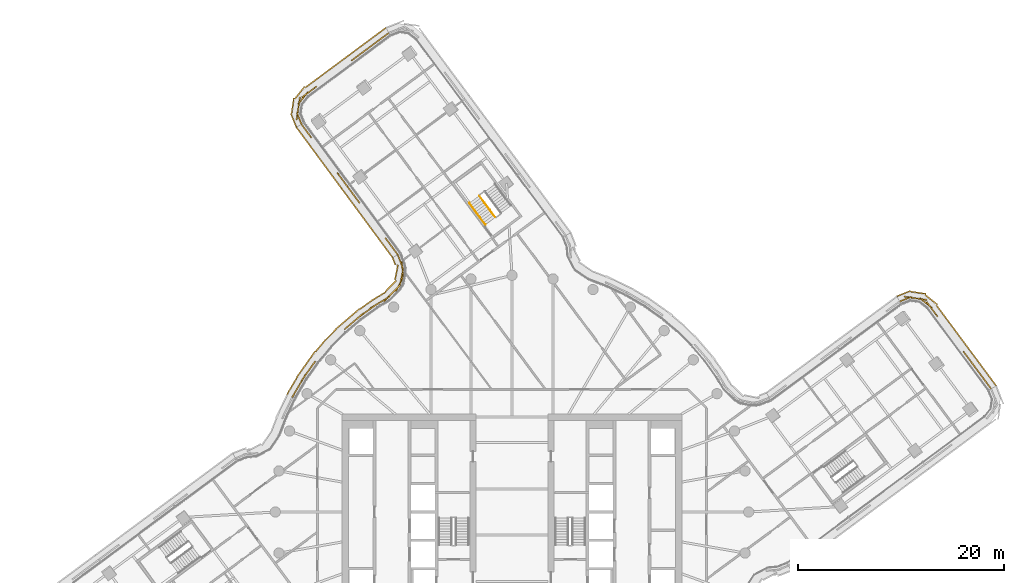
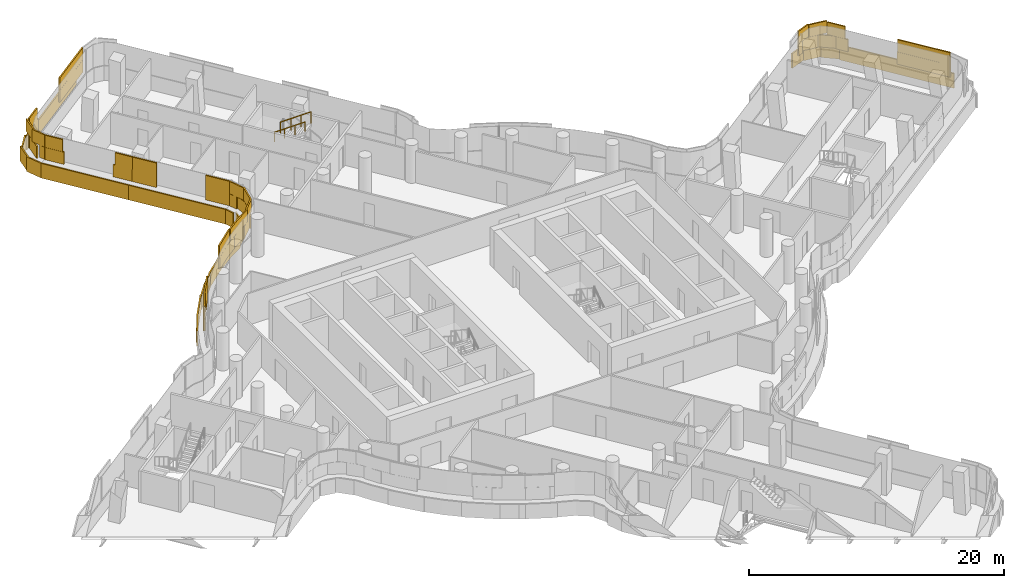
# One storey, part 31 of 32: 5 coverings, 2 railings.
"""IFC4 building model written with IfcOpenShell, lengths in metres."""

import ifcopenshell
import ifcopenshell.guid

model = None  # the IFC model being written
_history = None  # IfcOwnerHistory: only IFC2X3 demands one
_inside = {}  # id of a spatial element -> (the spatial element, [elements in it])
_under = {}  # id of a project, library or spatial element -> (it, [spatial elements below it])
_declared = {}  # id of a project -> (the project, [libraries it declares])
_typed = {}  # id of a type object -> (the type object, [elements of that type])
_made_of = {}  # id of a material, layer set ... -> (it, [elements and type objects made of it])


def new_model(schema):
    """Start an empty IFC model of exactly this schema.

    Asked for "IFC4X3", IfcOpenShell would pick the latest addendum, in which some entities
    have other attributes; the version numbers below select the first issue.
    IFC2X3 requires an IfcOwnerHistory on every rooted entity: one is made here for all.
    """
    global model, _history
    if schema == "IFC4X3":
        model = ifcopenshell.file(schema_version=(4, 3, 0, 0))
    else:
        model = ifcopenshell.file(schema=schema)
    _inside.clear()
    _under.clear()
    _declared.clear()
    _typed.clear()
    _made_of.clear()
    _history = None
    if model.schema == "IFC2X3":
        org = make("IfcOrganization", Name="unknown")
        user = make(
            "IfcPersonAndOrganization",
            ThePerson=make("IfcPerson", FamilyName="unknown"),
            TheOrganization=org,
        )
        app = make(
            "IfcApplication",
            ApplicationDeveloper=org,
            Version="unknown",
            ApplicationFullName="unknown",
            ApplicationIdentifier="unknown",
        )
        _history = make(
            "IfcOwnerHistory",
            OwningUser=user,
            OwningApplication=app,
            ChangeAction="ADDED",
            CreationDate=0,
        )
    return model


def make(cls, **values):
    """One entity of the class cls with the attributes given. An attribute that is None is left unset."""
    return model.create_entity(
        cls, **{name: value for name, value in values.items() if value is not None}
    )


def rooted(cls, **values):
    """An entity with a GlobalId (a new one), such as an element, a storey or a relation."""
    return make(cls, GlobalId=ifcopenshell.guid.new(), OwnerHistory=_history, **values)


def si_unit(unit_type, name, prefix=None):
    """IfcSIUnit, for example si_unit("LENGTHUNIT", "METRE", prefix="MILLI")."""
    return make("IfcSIUnit", UnitType=unit_type, Prefix=prefix, Name=name)


def assignment(units):
    """IfcUnitAssignment: the units of a project."""
    return None if units is None else make("IfcUnitAssignment", Units=units)


def point(xyz):
    """IfcCartesianPoint."""
    return None if xyz is None else make("IfcCartesianPoint", Coordinates=xyz)


def direction(xyz):
    """IfcDirection."""
    return None if xyz is None else make("IfcDirection", DirectionRatios=xyz)


def frame(location, z_axis=None, x_axis=None):
    """IfcAxis2Placement3D, a coordinate frame: its origin and axes. An axis left out is left unset."""
    return make(
        "IfcAxis2Placement3D",
        Location=point(location),
        Axis=direction(z_axis),
        RefDirection=direction(x_axis),
    )


def frame_2d(location, x_axis=None):
    """IfcAxis2Placement2D, a coordinate frame in the plane: its origin and x axis."""
    return make(
        "IfcAxis2Placement2D", Location=point(location), RefDirection=direction(x_axis)
    )


def origin():
    """The frame at (0, 0, 0) with its axes left unset."""
    return frame((0.0, 0.0, 0.0))


def origin_2d():
    """The frame at (0, 0) in the plane with its x axis left unset."""
    return frame_2d((0.0, 0.0))


def place(relative_to, where):
    """IfcLocalPlacement: puts the frame where relative to a parent placement (None: the world)."""
    return make(
        "IfcLocalPlacement", PlacementRelTo=relative_to, RelativePlacement=where
    )


def context(
    kind, dimensions, precision=None, world=None, true_north=None, identifier=None
):
    """IfcGeometricRepresentationContext, for example the 3D "Model" context."""
    return make(
        "IfcGeometricRepresentationContext",
        ContextIdentifier=identifier,
        ContextType=kind,
        CoordinateSpaceDimension=dimensions,
        Precision=precision,
        WorldCoordinateSystem=world,
        TrueNorth=true_north,
    )


def subcontext(parent, identifier, kind, view, scale=None):
    """IfcGeometricRepresentationSubContext, for example "Body" below "Model"."""
    return make(
        "IfcGeometricRepresentationSubContext",
        ContextIdentifier=identifier,
        ContextType=kind,
        ParentContext=parent,
        TargetScale=scale,
        TargetView=view,
    )


def project(units=None, contexts=None):
    """IfcProject with its units and contexts."""
    return rooted(
        "IfcProject",
        Name="project",
        RepresentationContexts=contexts,
        UnitsInContext=assignment(units),
    )


def spatial(cls, under=None, at=None, **own):
    """A site, building, storey or space (cls), placed at a placement, below another one or the project."""
    s = rooted(cls, ObjectPlacement=at, **own)
    if under is not None:
        _under.setdefault(under.id(), (under, []))[1].append(s)
    return s


def profile(cls, at=None, kind="AREA", **sizes):
    """A parametric profile (cls). Its sizes go by their IFC names, for example OverallWidth=200.0."""
    return make(cls, ProfileType=kind, Position=at, **sizes)


def rectangle(**sizes):
    """IfcRectangleProfileDef."""
    return profile("IfcRectangleProfileDef", **sizes)


def circle(**sizes):
    """IfcCircleProfileDef."""
    return profile("IfcCircleProfileDef", **sizes)


def extrude(swept, where, along, depth):
    """IfcExtrudedAreaSolid: the profile swept, set in the frame where, extruded along a direction by depth."""
    return make(
        "IfcExtrudedAreaSolid",
        SweptArea=swept,
        Position=where,
        ExtrudedDirection=direction(along),
        Depth=depth,
    )


def shape(context_of_items, identifier, shape_type, items):
    """IfcShapeRepresentation: the items that make up one representation, for example the "Body"."""
    return make(
        "IfcShapeRepresentation",
        ContextOfItems=context_of_items,
        RepresentationIdentifier=identifier,
        RepresentationType=shape_type,
        Items=items,
    )


def material(Name=None, Category=None):
    """IfcMaterial."""
    return make("IfcMaterial", Name=Name, Category=Category)


def layer(
    of_material, thickness, ventilated=None, Name=None, Category=None, Priority=None
):
    """IfcMaterialLayer: one layer of a wall or slab, of a material (None: an air gap)."""
    return make(
        "IfcMaterialLayer",
        Material=of_material,
        LayerThickness=thickness,
        IsVentilated=ventilated,
        Name=Name,
        Category=Category,
        Priority=Priority,
    )


def layer_set(layers, Name=None):
    """IfcMaterialLayerSet."""
    return make("IfcMaterialLayerSet", MaterialLayers=layers, LayerSetName=Name)


def made_of(thing, what):
    """Note that an element or type object is made of a material, layer set ...; save() writes the relation."""
    if what is not None:
        _made_of.setdefault(what.id(), (what, []))[1].append(thing)
    return thing


def type_object(cls, material=None, **own):
    """A type object (cls), such as IfcWallType, which elements share."""
    return made_of(rooted(cls, **own), material)


def element(
    cls,
    number,
    at=None,
    inside=None,
    cuts=None,
    type_object=None,
    material=None,
    context=None,
    identifier="Body",
    shape_type=None,
    held_by="IfcProductDefinitionShape",
    body=None,
    shapes=None,
    **own,
):
    """One element of the class cls, such as IfcWall. Its Tag is "e" and its number.

    at: its placement. inside: the storey or other place that contains it. cuts: it is an
    opening in that element (IfcRelVoidsElement). A single representation is given by context,
    identifier, shape_type and body (its items); several are given by shapes. held_by: the class
    of the entity that holds the representations. save() writes the other relations.
    """
    e = rooted(cls, Tag="e%d" % number, ObjectPlacement=at, **own)
    if body is not None:
        shapes = [shape(context, identifier, shape_type, body)]
    if shapes is not None:
        e.Representation = make(held_by, Representations=shapes)
    if inside is not None:
        _inside.setdefault(inside.id(), (inside, []))[1].append(e)
    if cuts is not None:
        rooted(
            "IfcRelVoidsElement", RelatingBuildingElement=cuts, RelatedOpeningElement=e
        )
    if type_object is not None:
        _typed.setdefault(type_object.id(), (type_object, []))[1].append(e)
    return made_of(e, material)


def aggregate(whole, parts):
    """IfcRelAggregates: a whole, such as a stair, and the parts it consists of."""
    return rooted("IfcRelAggregates", RelatingObject=whole, RelatedObjects=parts)


def save(model, path):
    """Write the relations noted so far, then the file.

    IfcRelAggregates (storeys below a building ...), IfcRelContainedInSpatialStructure (elements
    in a storey), IfcRelDefinesByType, IfcRelAssociatesMaterial and IfcRelDeclares: one each for
    every whole, place, type object, material and project.
    """
    for whole, parts in _under.values():
        aggregate(whole, parts)
    for where, things in _inside.values():
        rooted(
            "IfcRelContainedInSpatialStructure",
            RelatedElements=things,
            RelatingStructure=where,
        )
    for kind, things in _typed.values():
        rooted("IfcRelDefinesByType", RelatedObjects=things, RelatingType=kind)
    for what, things in _made_of.values():
        rooted("IfcRelAssociatesMaterial", RelatedObjects=things, RelatingMaterial=what)
    for by, libraries in _declared.values():
        rooted("IfcRelDeclares", RelatingContext=by, RelatedDefinitions=libraries)
    model.write(path)


model = new_model("IFC4")

# Units and contexts
model_context = context("Model", 3, precision=1e-05, world=origin(), true_north=direction((0.0, 1.0)))
body_context = subcontext(model_context, "Body", "Model", "MODEL_VIEW")
ifc_project = project(units=[si_unit("LENGTHUNIT", "METRE"), si_unit("AREAUNIT", "SQUARE_METRE"), si_unit("VOLUMEUNIT", "CUBIC_METRE"), si_unit("PLANEANGLEUNIT", "RADIAN"), si_unit("MASSUNIT", "GRAM", prefix="KILO")], contexts=[model_context])

# Site, building, storey
site_placement = place(None, origin())
site = spatial("IfcSite", under=ifc_project, at=site_placement, CompositionType="ELEMENT")
building_placement = place(site_placement, origin())
building = spatial("IfcBuilding", under=site, at=building_placement, Name="Tamarind Cross Interchange Tower", CompositionType="ELEMENT")
storey_placement = place(building_placement, frame((0.0, 0.0, 166.75)))
storey = spatial("IfcBuildingStorey", under=building, at=storey_placement, Name="L41", CompositionType="ELEMENT", Elevation=166.75)

# Railings
ifc_material_1 = material(Name="Stair guard")
railing_type_1 = type_object("IfcRailingType", Name="Stair guard", PredefinedType="GUARDRAIL", material=ifc_material_1)
railing_1_placement = place(storey_placement, frame((-3.174072265625, 30.726806640625, 2.04541015625)))
element("IfcRailing", 1, at=railing_1_placement, inside=storey, type_object=railing_type_1, Name="L41 ST4 stair guard 3", PredefinedType="GUARDRAIL", context=body_context, shape_type="SweptSolid", body=[
    extrude(circle(Radius=0.02392578125, at=origin_2d()), frame((0.0, 0.0, 1.076171875), z_axis=(0.498262505957, -0.671653146328, 0.548285077477), x_axis=(0.803132814244, 0.595800035821, 0.0)), (0.0, 0.0, 1.0), 3.10888671875),
    extrude(circle(Radius=0.02099609375, at=origin_2d()), origin(), (0.0, 0.0, 1.0), 1.052001953125),
    extrude(circle(Radius=0.02099609375, at=origin_2d()), frame((0.516357421875, -0.696044921875, 0.568115234375)), (0.0, 0.0, 1.0), 1.052001953125),
    extrude(circle(Radius=0.02099609375, at=origin_2d()), frame((1.03271484375, -1.39208984375, 1.136474609375)), (0.0, 0.0, 1.0), 1.052001953125),
    extrude(circle(Radius=0.02099609375, at=origin_2d()), frame((1.549072265625, -2.088134765625, 1.70458984375)), (0.0, 0.0, 1.0), 1.052001953125),
])
ifc_material_2 = material(Name="Stair handrail")
railing_type_2 = type_object("IfcRailingType", Name="Stair handrail", PredefinedType="HANDRAIL", material=ifc_material_2)
railing_2_placement = place(storey_placement, frame((-4.137939453125, 30.011962890625, 2.04541015625)))
element("IfcRailing", 2, at=railing_2_placement, inside=storey, type_object=railing_type_2, Name="L41 ST4 stair handrail 2", PredefinedType="HANDRAIL", context=body_context, shape_type="SweptSolid", body=[
    extrude(circle(Radius=0.02392578125, at=origin_2d()), frame((0.0, 0.0, 0.8759765625), z_axis=(0.498262505957, -0.671653146328, 0.548285077477), x_axis=(0.803132814244, 0.595800035821, 0.0)), (0.0, 0.0, 1.0), 3.10888671875),
    extrude(circle(Radius=0.02099609375, at=origin_2d()), origin(), (0.0, 0.0, 1.0), 0.851806640625),
    extrude(circle(Radius=0.02099609375, at=origin_2d()), frame((0.516357421875, -0.696044921875, 0.568115234375)), (0.0, 0.0, 1.0), 0.851806640625),
    extrude(circle(Radius=0.02099609375, at=origin_2d()), frame((1.03271484375, -1.39208984375, 1.136474609375)), (0.0, 0.0, 1.0), 0.851806640625),
    extrude(circle(Radius=0.02099609375, at=origin_2d()), frame((1.549072265625, -2.088134765625, 1.70458984375)), (0.0, 0.0, 1.0), 0.851806640625),
])

# Coverings
ifc_material_3 = material(Name="Terracotta", Category="masonry")
ifc_layer = layer(ifc_material_3, 0.1201171875)
ifc_layer_set = layer_set([ifc_layer], Name="Terracotta")
covering_type = type_object("IfcCoveringType", Name="Terracotta baguette screen unit", PredefinedType="MOLDING", material=ifc_layer_set)
covering_1_placement = place(storey_placement, origin())
element("IfcCovering", 3, at=covering_1_placement, inside=storey, type_object=covering_type, Name="SCR-L41-00-00", PredefinedType="MOLDING", context=body_context, shape_type="SweptSolid", body=[
    extrude(rectangle(XDim=0.760009765625, YDim=0.1201171875, at=origin_2d()), frame((46.328125, 12.273193359375, 1.404052734375), z_axis=(0.0, 0.0, 1.0), x_axis=(-0.595776404136, 0.803150344752, 0.0)), (0.0, 0.0, 1.0), 1.1669921875),
    extrude(rectangle(XDim=1.52001953125, YDim=0.1201171875, at=origin_2d()), frame((45.65771484375, 13.1767578125, 1.404052734375), z_axis=(0.0, 0.0, 1.0), x_axis=(-0.595776404136, 0.803150344752, 0.0)), (0.0, 0.0, 1.0), 1.1669921875),
    extrude(rectangle(XDim=1.52001953125, YDim=0.1201171875, at=origin_2d()), frame((44.76416015625, 14.38134765625, 1.404052734375), z_axis=(0.0, 0.0, 1.0), x_axis=(-0.595776404136, 0.803150344752, 0.0)), (0.0, 0.0, 1.0), 1.1669921875),
    extrude(rectangle(XDim=0.78466796875, YDim=0.1201171875, at=origin_2d()), frame((44.08642578125, 15.294921875, 1.404052734375), z_axis=(0.0, 0.0, 1.0), x_axis=(-0.595776404136, 0.803150344752, 0.0)), (0.0, 0.0, 1.0), 1.1669921875),
    extrude(rectangle(XDim=1.03515625, YDim=0.1201171875, at=origin_2d()), frame((41.048095703125, 19.39111328125, 1.404052734375), z_axis=(0.0, 0.0, 1.0), x_axis=(-0.595776404136, 0.803150344752, 0.0)), (0.0, 0.0, 1.0), 1.1669921875),
    extrude(rectangle(XDim=1.52001953125, YDim=0.1201171875, at=origin_2d()), frame((40.20654296875, 20.318603515625, 1.404052734375), z_axis=(0.0, 0.0, 1.0), x_axis=(-0.783346420751, 0.621585380376, 0.0)), (0.0, 0.0, 1.0), 1.1669921875),
    extrude(rectangle(XDim=1.52001953125, YDim=0.1201171875, at=origin_2d()), frame((38.84521484375, 20.821044921875, 1.404052734375), z_axis=(0.0, 0.0, 1.0), x_axis=(-0.989190590522, 0.146635519651, 0.0)), (0.0, 0.0, 1.0), 1.1669921875),
    extrude(rectangle(XDim=0.509521484375, YDim=0.1201171875, at=origin_2d()), frame((37.90478515625, 20.54541015625, 1.404052734375), z_axis=(0.0, 0.0, 1.0), x_axis=(-0.929981940402, -0.367605210146, 0.0)), (0.0, 0.0, 1.0), 1.1669921875),
    extrude(rectangle(XDim=1.510009765625, YDim=0.1201171875, at=origin_2d()), frame((46.1044921875, 12.574462890625, 2.5791015625), z_axis=(0.0, 0.0, 1.0), x_axis=(-0.595776404136, 0.803150344752, 0.0)), (0.0, 0.0, 1.0), 1.1669921875),
    extrude(rectangle(XDim=1.52001953125, YDim=0.1201171875, at=origin_2d()), frame((45.2109375, 13.779052734375, 2.5791015625), z_axis=(0.0, 0.0, 1.0), x_axis=(-0.595776404136, 0.803150344752, 0.0)), (0.0, 0.0, 1.0), 1.1669921875),
    extrude(rectangle(XDim=1.52001953125, YDim=0.1201171875, at=origin_2d()), frame((44.3173828125, 14.98388671875, 2.5791015625), z_axis=(0.0, 0.0, 1.0), x_axis=(-0.595776404136, 0.803150344752, 0.0)), (0.0, 0.0, 1.0), 1.1669921875),
    extrude(rectangle(XDim=1.52001953125, YDim=0.1201171875, at=origin_2d()), frame((40.74267578125, 19.802734375, 2.5791015625), z_axis=(0.0, 0.0, 1.0), x_axis=(-0.595776404136, 0.803150344752, 0.0)), (0.0, 0.0, 1.0), 1.1669921875),
    extrude(rectangle(XDim=1.52001953125, YDim=0.1201171875, at=origin_2d()), frame((39.5869140625, 20.711181640625, 2.5791015625), z_axis=(0.0, 0.0, 1.0), x_axis=(-0.989190590522, 0.146635519651, 0.0)), (0.0, 0.0, 1.0), 1.1669921875),
    extrude(rectangle(XDim=1.259521484375, YDim=0.1201171875, at=origin_2d()), frame((38.25341796875, 20.68310546875, 2.5791015625), z_axis=(0.0, 0.0, 1.0), x_axis=(-0.929981940402, -0.367605210146, 0.0)), (0.0, 0.0, 1.0), 1.1669921875),
    extrude(rectangle(XDim=0.760009765625, YDim=0.1201171875, at=origin_2d()), frame((46.8310546875, 12.55859375, 0.00390625), z_axis=(0.0, 0.0, 1.0), x_axis=(-0.595776404136, 0.803150344752, 0.0)), (0.0, 0.0, 1.0), 1.39208984375),
    extrude(rectangle(XDim=1.52001953125, YDim=0.1201171875, at=origin_2d()), frame((46.163818359375, 13.4580078125, 0.00390625), z_axis=(0.0, 0.0, 1.0), x_axis=(-0.595776404136, 0.803150344752, 0.0)), (0.0, 0.0, 1.0), 1.39208984375),
    extrude(rectangle(XDim=1.52001953125, YDim=0.1201171875, at=origin_2d()), frame((45.270263671875, 14.662841796875, 0.00390625), z_axis=(0.0, 0.0, 1.0), x_axis=(-0.595776404136, 0.803150344752, 0.0)), (0.0, 0.0, 1.0), 1.39208984375),
    extrude(rectangle(XDim=1.52001953125, YDim=0.1201171875, at=origin_2d()), frame((44.37646484375, 15.867431640625, 0.00390625), z_axis=(0.0, 0.0, 1.0), x_axis=(-0.595776404136, 0.803150344752, 0.0)), (0.0, 0.0, 1.0), 1.39208984375),
    extrude(rectangle(XDim=1.52001953125, YDim=0.1201171875, at=origin_2d()), frame((43.48291015625, 17.072265625, 0.00390625), z_axis=(0.0, 0.0, 1.0), x_axis=(-0.595776404136, 0.803150344752, 0.0)), (0.0, 0.0, 1.0), 1.39208984375),
    extrude(rectangle(XDim=1.52001953125, YDim=0.1201171875, at=origin_2d()), frame((42.589111328125, 18.27685546875, 0.00390625), z_axis=(0.0, 0.0, 1.0), x_axis=(-0.595776404136, 0.803150344752, 0.0)), (0.0, 0.0, 1.0), 1.39208984375),
    extrude(rectangle(XDim=1.52001953125, YDim=0.1201171875, at=origin_2d()), frame((41.695556640625, 19.481689453125, 0.00390625), z_axis=(0.0, 0.0, 1.0), x_axis=(-0.595776404136, 0.803150344752, 0.0)), (0.0, 0.0, 1.0), 1.39208984375),
    extrude(rectangle(XDim=1.52001953125, YDim=0.1201171875, at=origin_2d()), frame((40.74072265625, 20.62744140625, 0.00390625), z_axis=(0.0, 0.0, 1.0), x_axis=(-0.783346420751, 0.621585380376, 0.0)), (0.0, 0.0, 1.0), 1.39208984375),
    extrude(rectangle(XDim=1.52001953125, YDim=0.1201171875, at=origin_2d()), frame((39.457763671875, 21.310546875, 0.00390625), z_axis=(0.0, 0.0, 1.0), x_axis=(-0.989190590522, 0.146635519651, 0.0)), (0.0, 0.0, 1.0), 1.39208984375),
    extrude(rectangle(XDim=1.42626953125, YDim=0.1201171875, at=origin_2d()), frame((38.05517578125, 21.221923828125, 0.00390625), z_axis=(0.0, 0.0, 1.0), x_axis=(-0.929981940402, -0.367605210146, 0.0)), (0.0, 0.0, 1.0), 1.39208984375),
])
covering_2_placement = place(storey_placement, origin())
element("IfcCovering", 4, at=covering_2_placement, inside=storey, type_object=covering_type, Name="SCR-L41-04-00", PredefinedType="MOLDING", context=body_context, shape_type="SweptSolid", body=[
    extrude(rectangle(XDim=0.760009765625, YDim=0.1201171875, at=origin_2d()), frame((-12.273193359375, 46.328125, 1.404052734375), z_axis=(0.0, 0.0, 1.0), x_axis=(-0.803150344752, -0.595776404136, 0.0)), (0.0, 0.0, 1.0), 1.1669921875),
    extrude(rectangle(XDim=1.52001953125, YDim=0.1201171875, at=origin_2d()), frame((-13.1767578125, 45.65771484375, 1.404052734375), z_axis=(0.0, 0.0, 1.0), x_axis=(-0.803150344752, -0.595776404136, 0.0)), (0.0, 0.0, 1.0), 1.1669921875),
    extrude(rectangle(XDim=1.52001953125, YDim=0.1201171875, at=origin_2d()), frame((-14.38134765625, 44.76416015625, 1.404052734375), z_axis=(0.0, 0.0, 1.0), x_axis=(-0.803150344752, -0.595776404136, 0.0)), (0.0, 0.0, 1.0), 1.1669921875),
    extrude(rectangle(XDim=0.78466796875, YDim=0.1201171875, at=origin_2d()), frame((-15.294921875, 44.08642578125, 1.404052734375), z_axis=(0.0, 0.0, 1.0), x_axis=(-0.803150344752, -0.595776404136, 0.0)), (0.0, 0.0, 1.0), 1.1669921875),
    extrude(rectangle(XDim=1.03515625, YDim=0.1201171875, at=origin_2d()), frame((-19.39111328125, 41.048095703125, 1.404052734375), z_axis=(0.0, 0.0, 1.0), x_axis=(-0.803150344752, -0.595776404136, 0.0)), (0.0, 0.0, 1.0), 1.1669921875),
    extrude(rectangle(XDim=1.52001953125, YDim=0.1201171875, at=origin_2d()), frame((-20.318603515625, 40.20654296875, 1.404052734375), z_axis=(0.0, 0.0, 1.0), x_axis=(-0.621585380376, -0.783346420751, 0.0)), (0.0, 0.0, 1.0), 1.1669921875),
    extrude(rectangle(XDim=1.52001953125, YDim=0.1201171875, at=origin_2d()), frame((-20.821044921875, 38.84521484375, 1.404052734375), z_axis=(0.0, 0.0, 1.0), x_axis=(-0.146635519651, -0.989190590522, 0.0)), (0.0, 0.0, 1.0), 1.1669921875),
    extrude(rectangle(XDim=0.509521484375, YDim=0.1201171875, at=origin_2d()), frame((-20.54541015625, 37.90478515625, 1.404052734375), z_axis=(0.0, 0.0, 1.0), x_axis=(0.367605210146, -0.929981940402, 0.0)), (0.0, 0.0, 1.0), 1.1669921875),
    extrude(rectangle(XDim=1.510009765625, YDim=0.1201171875, at=origin_2d()), frame((-12.574462890625, 46.1044921875, 2.5791015625), z_axis=(0.0, 0.0, 1.0), x_axis=(-0.803150344752, -0.595776404136, 0.0)), (0.0, 0.0, 1.0), 1.1669921875),
    extrude(rectangle(XDim=1.52001953125, YDim=0.1201171875, at=origin_2d()), frame((-13.779052734375, 45.2109375, 2.5791015625), z_axis=(0.0, 0.0, 1.0), x_axis=(-0.803150344752, -0.595776404136, 0.0)), (0.0, 0.0, 1.0), 1.1669921875),
    extrude(rectangle(XDim=1.52001953125, YDim=0.1201171875, at=origin_2d()), frame((-14.98388671875, 44.3173828125, 2.5791015625), z_axis=(0.0, 0.0, 1.0), x_axis=(-0.803150344752, -0.595776404136, 0.0)), (0.0, 0.0, 1.0), 1.1669921875),
    extrude(rectangle(XDim=1.52001953125, YDim=0.1201171875, at=origin_2d()), frame((-19.802734375, 40.74267578125, 2.5791015625), z_axis=(0.0, 0.0, 1.0), x_axis=(-0.803150344752, -0.595776404136, 0.0)), (0.0, 0.0, 1.0), 1.1669921875),
    extrude(rectangle(XDim=1.52001953125, YDim=0.1201171875, at=origin_2d()), frame((-20.711181640625, 39.5869140625, 2.5791015625), z_axis=(0.0, 0.0, 1.0), x_axis=(-0.146635519651, -0.989190590522, 0.0)), (0.0, 0.0, 1.0), 1.1669921875),
    extrude(rectangle(XDim=1.259521484375, YDim=0.1201171875, at=origin_2d()), frame((-20.68310546875, 38.25341796875, 2.5791015625), z_axis=(0.0, 0.0, 1.0), x_axis=(0.367605210146, -0.929981940402, 0.0)), (0.0, 0.0, 1.0), 1.1669921875),
    extrude(rectangle(XDim=0.760009765625, YDim=0.1201171875, at=origin_2d()), frame((-12.55859375, 46.8310546875, 0.00390625), z_axis=(0.0, 0.0, 1.0), x_axis=(-0.803150344752, -0.595776404136, 0.0)), (0.0, 0.0, 1.0), 1.39208984375),
    extrude(rectangle(XDim=1.52001953125, YDim=0.1201171875, at=origin_2d()), frame((-13.4580078125, 46.163818359375, 0.00390625), z_axis=(0.0, 0.0, 1.0), x_axis=(-0.803150344752, -0.595776404136, 0.0)), (0.0, 0.0, 1.0), 1.39208984375),
    extrude(rectangle(XDim=1.52001953125, YDim=0.1201171875, at=origin_2d()), frame((-14.662841796875, 45.270263671875, 0.00390625), z_axis=(0.0, 0.0, 1.0), x_axis=(-0.803150344752, -0.595776404136, 0.0)), (0.0, 0.0, 1.0), 1.39208984375),
    extrude(rectangle(XDim=1.52001953125, YDim=0.1201171875, at=origin_2d()), frame((-15.867431640625, 44.37646484375, 0.00390625), z_axis=(0.0, 0.0, 1.0), x_axis=(-0.803150344752, -0.595776404136, 0.0)), (0.0, 0.0, 1.0), 1.39208984375),
    extrude(rectangle(XDim=1.52001953125, YDim=0.1201171875, at=origin_2d()), frame((-17.072265625, 43.48291015625, 0.00390625), z_axis=(0.0, 0.0, 1.0), x_axis=(-0.803150344752, -0.595776404136, 0.0)), (0.0, 0.0, 1.0), 1.39208984375),
    extrude(rectangle(XDim=1.52001953125, YDim=0.1201171875, at=origin_2d()), frame((-18.27685546875, 42.589111328125, 0.00390625), z_axis=(0.0, 0.0, 1.0), x_axis=(-0.803150344752, -0.595776404136, 0.0)), (0.0, 0.0, 1.0), 1.39208984375),
    extrude(rectangle(XDim=1.52001953125, YDim=0.1201171875, at=origin_2d()), frame((-19.481689453125, 41.695556640625, 0.00390625), z_axis=(0.0, 0.0, 1.0), x_axis=(-0.803150344752, -0.595776404136, 0.0)), (0.0, 0.0, 1.0), 1.39208984375),
    extrude(rectangle(XDim=1.52001953125, YDim=0.1201171875, at=origin_2d()), frame((-20.62744140625, 40.74072265625, 0.00390625), z_axis=(0.0, 0.0, 1.0), x_axis=(-0.621585380376, -0.783346420751, 0.0)), (0.0, 0.0, 1.0), 1.39208984375),
    extrude(rectangle(XDim=1.52001953125, YDim=0.1201171875, at=origin_2d()), frame((-21.310546875, 39.457763671875, 0.00390625), z_axis=(0.0, 0.0, 1.0), x_axis=(-0.146635519651, -0.989190590522, 0.0)), (0.0, 0.0, 1.0), 1.39208984375),
    extrude(rectangle(XDim=1.42626953125, YDim=0.1201171875, at=origin_2d()), frame((-21.221923828125, 38.05517578125, 0.00390625), z_axis=(0.0, 0.0, 1.0), x_axis=(0.367605210146, -0.929981940402, 0.0)), (0.0, 0.0, 1.0), 1.39208984375),
])
covering_3_placement = place(storey_placement, origin())
element("IfcCovering", 5, at=covering_3_placement, inside=storey, type_object=covering_type, Name="SCR-L41-05-00", PredefinedType="MOLDING", context=body_context, shape_type="SweptSolid", body=[
    extrude(rectangle(XDim=0.760009765625, YDim=0.1201171875, at=origin_2d()), frame((-20.23095703125, 37.370849609375, 1.404052734375), z_axis=(0.0, 0.0, 1.0), x_axis=(0.593819308082, -0.804598427384, 0.0)), (0.0, 0.0, 1.0), 1.1669921875),
    extrude(rectangle(XDim=0.890380859375, YDim=0.1201171875, at=origin_2d()), frame((-19.746826171875, 36.71484375, 1.404052734375), z_axis=(0.0, 0.0, 1.0), x_axis=(0.593819308082, -0.804598427384, 0.0)), (0.0, 0.0, 1.0), 1.1669921875),
    extrude(rectangle(XDim=0.9296875, YDim=0.1201171875, at=origin_2d()), frame((-16.71826171875, 32.611328125, 1.404052734375), z_axis=(0.0, 0.0, 1.0), x_axis=(0.593819308082, -0.804598427384, 0.0)), (0.0, 0.0, 1.0), 1.1669921875),
    extrude(rectangle(XDim=0.720703125, YDim=0.1201171875, at=origin_2d()), frame((-16.234130859375, 31.95556640625, 1.404052734375), z_axis=(0.0, 0.0, 1.0), x_axis=(0.593819308082, -0.804598427384, 0.0)), (0.0, 0.0, 1.0), 1.1669921875),
    extrude(rectangle(XDim=1.510009765625, YDim=0.1201171875, at=origin_2d()), frame((-20.008056640625, 37.069091796875, 2.5791015625), z_axis=(0.0, 0.0, 1.0), x_axis=(0.593819308082, -0.804598427384, 0.0)), (0.0, 0.0, 1.0), 1.1669921875),
    extrude(rectangle(XDim=1.470703125, YDim=0.1201171875, at=origin_2d()), frame((-16.45703125, 32.25732421875, 2.5791015625), z_axis=(0.0, 0.0, 1.0), x_axis=(0.593819308082, -0.804598427384, 0.0)), (0.0, 0.0, 1.0), 1.1669921875),
    extrude(rectangle(XDim=0.760009765625, YDim=0.1201171875, at=origin_2d()), frame((-20.734130859375, 37.086181640625, 0.00390625), z_axis=(0.0, 0.0, 1.0), x_axis=(0.593819308082, -0.804598427384, 0.0)), (0.0, 0.0, 1.0), 1.39208984375),
    extrude(rectangle(XDim=1.52001953125, YDim=0.1201171875, at=origin_2d()), frame((-20.069091796875, 36.18505859375, 0.00390625), z_axis=(0.0, 0.0, 1.0), x_axis=(0.593819308082, -0.804598427384, 0.0)), (0.0, 0.0, 1.0), 1.39208984375),
    extrude(rectangle(XDim=1.52001953125, YDim=0.1201171875, at=origin_2d()), frame((-19.178466796875, 34.97802734375, 0.00390625), z_axis=(0.0, 0.0, 1.0), x_axis=(0.593819308082, -0.804598427384, 0.0)), (0.0, 0.0, 1.0), 1.39208984375),
    extrude(rectangle(XDim=1.52001953125, YDim=0.1201171875, at=origin_2d()), frame((-18.28759765625, 33.771240234375, 0.00390625), z_axis=(0.0, 0.0, 1.0), x_axis=(0.593819308082, -0.804598427384, 0.0)), (0.0, 0.0, 1.0), 1.39208984375),
    extrude(rectangle(XDim=1.52001953125, YDim=0.1201171875, at=origin_2d()), frame((-17.39697265625, 32.564208984375, 0.00390625), z_axis=(0.0, 0.0, 1.0), x_axis=(0.593819308082, -0.804598427384, 0.0)), (0.0, 0.0, 1.0), 1.39208984375),
    extrude(rectangle(XDim=0.718505859375, YDim=0.1201171875, at=origin_2d()), frame((-16.744140625, 31.679931640625, 0.00390625), z_axis=(0.0, 0.0, 1.0), x_axis=(0.593819308082, -0.804598427384, 0.0)), (0.0, 0.0, 1.0), 1.39208984375),
])
covering_4_placement = place(storey_placement, origin())
element("IfcCovering", 6, at=covering_4_placement, inside=storey, type_object=covering_type, Name="SCR-L41-05-01", PredefinedType="MOLDING", context=body_context, shape_type="SweptSolid", body=[
    extrude(rectangle(XDim=0.79931640625, YDim=0.1201171875, at=origin_2d()), frame((-15.788818359375, 31.35205078125, 1.404052734375), z_axis=(0.0, 0.0, 1.0), x_axis=(0.593819308082, -0.804598427384, 0.0)), (0.0, 0.0, 1.0), 1.1669921875),
    extrude(rectangle(XDim=1.270751953125, YDim=0.1201171875, at=origin_2d()), frame((-15.18017578125, 30.52734375, 1.404052734375), z_axis=(0.0, 0.0, 1.0), x_axis=(0.593819308082, -0.804598427384, 0.0)), (0.0, 0.0, 1.0), 1.1669921875),
    extrude(rectangle(XDim=0.549072265625, YDim=0.1201171875, at=origin_2d()), frame((-12.151611328125, 26.423828125, 1.404052734375), z_axis=(0.0, 0.0, 1.0), x_axis=(0.593819308082, -0.804598427384, 0.0)), (0.0, 0.0, 1.0), 1.1669921875),
    extrude(rectangle(XDim=1.52001953125, YDim=0.1201171875, at=origin_2d()), frame((-11.546142578125, 25.603515625, 1.404052734375), z_axis=(0.0, 0.0, 1.0), x_axis=(0.593819308082, -0.804598427384, 0.0)), (0.0, 0.0, 1.0), 1.1669921875),
    extrude(rectangle(XDim=0.04931640625, YDim=0.1201171875, at=origin_2d()), frame((-16.011474609375, 31.65380859375, 2.5791015625), z_axis=(0.0, 0.0, 1.0), x_axis=(0.593819308082, -0.804598427384, 0.0)), (0.0, 0.0, 1.0), 1.1669921875),
    extrude(rectangle(XDim=1.52001953125, YDim=0.1201171875, at=origin_2d()), frame((-15.554443359375, 31.03466796875, 2.5791015625), z_axis=(0.0, 0.0, 1.0), x_axis=(0.593819308082, -0.804598427384, 0.0)), (0.0, 0.0, 1.0), 1.1669921875),
    extrude(rectangle(XDim=0.520751953125, YDim=0.1201171875, at=origin_2d()), frame((-14.95751953125, 30.2255859375, 2.5791015625), z_axis=(0.0, 0.0, 1.0), x_axis=(0.593819308082, -0.804598427384, 0.0)), (0.0, 0.0, 1.0), 1.1669921875),
    extrude(rectangle(XDim=1.299072265625, YDim=0.1201171875, at=origin_2d()), frame((-11.928955078125, 26.1220703125, 2.5791015625), z_axis=(0.0, 0.0, 1.0), x_axis=(0.593819308082, -0.804598427384, 0.0)), (0.0, 0.0, 1.0), 1.1669921875),
    extrude(rectangle(XDim=0.77099609375, YDim=0.1201171875, at=origin_2d()), frame((-11.3203125, 25.29736328125, 2.5791015625), z_axis=(0.0, 0.0, 1.0), x_axis=(0.593819308082, -0.804598427384, 0.0)), (0.0, 0.0, 1.0), 1.1669921875),
    extrude(rectangle(XDim=0.801513671875, YDim=0.1201171875, at=origin_2d()), frame((-16.29296875, 31.068359375, 0.00390625), z_axis=(0.0, 0.0, 1.0), x_axis=(0.593819308082, -0.804598427384, 0.0)), (0.0, 0.0, 1.0), 1.39208984375),
    extrude(rectangle(XDim=1.52001953125, YDim=0.1201171875, at=origin_2d()), frame((-15.615478515625, 30.150390625, 0.00390625), z_axis=(0.0, 0.0, 1.0), x_axis=(0.593819308082, -0.804598427384, 0.0)), (0.0, 0.0, 1.0), 1.39208984375),
    extrude(rectangle(XDim=1.52001953125, YDim=0.1201171875, at=origin_2d()), frame((-14.724609375, 28.943603515625, 0.00390625), z_axis=(0.0, 0.0, 1.0), x_axis=(0.593819308082, -0.804598427384, 0.0)), (0.0, 0.0, 1.0), 1.39208984375),
    extrude(rectangle(XDim=1.52001953125, YDim=0.1201171875, at=origin_2d()), frame((-13.833984375, 27.736572265625, 0.00390625), z_axis=(0.0, 0.0, 1.0), x_axis=(0.593819308082, -0.804598427384, 0.0)), (0.0, 0.0, 1.0), 1.39208984375),
    extrude(rectangle(XDim=1.52001953125, YDim=0.1201171875, at=origin_2d()), frame((-12.943359375, 26.52978515625, 0.00390625), z_axis=(0.0, 0.0, 1.0), x_axis=(0.593819308082, -0.804598427384, 0.0)), (0.0, 0.0, 1.0), 1.39208984375),
    extrude(rectangle(XDim=1.52001953125, YDim=0.1201171875, at=origin_2d()), frame((-12.052490234375, 25.322998046875, 0.00390625), z_axis=(0.0, 0.0, 1.0), x_axis=(0.593819308082, -0.804598427384, 0.0)), (0.0, 0.0, 1.0), 1.39208984375),
])
covering_5_placement = place(storey_placement, origin())
element("IfcCovering", 7, at=covering_5_placement, inside=storey, type_object=covering_type, Name="SCR-L41-06-00", PredefinedType="MOLDING", context=body_context, shape_type="SweptSolid", body=[
    extrude(rectangle(XDim=0.760009765625, YDim=0.1201171875, at=origin_2d()), frame((-10.96240234375, 24.64013671875, 1.404052734375), z_axis=(0.0, 0.0, 1.0), x_axis=(0.351921900623, -0.936029366987, 0.0)), (0.0, 0.0, 1.0), 1.1669921875),
    extrude(rectangle(XDim=1.52001953125, YDim=0.1201171875, at=origin_2d()), frame((-10.646484375, 23.5693359375, 1.404052734375), z_axis=(0.0, 0.0, 1.0), x_axis=(0.080926527852, -0.996720069573, 0.0)), (0.0, 0.0, 1.0), 1.1669921875),
    extrude(rectangle(XDim=1.52001953125, YDim=0.1201171875, at=origin_2d()), frame((-10.93701171875, 22.11474609375, 1.404052734375), z_axis=(0.0, 0.0, 1.0), x_axis=(-0.458406830491, -0.888742469875, 0.0)), (0.0, 0.0, 1.0), 1.1669921875),
    extrude(rectangle(XDim=1.52001953125, YDim=0.1201171875, at=origin_2d()), frame((-11.919677734375, 20.99609375, 1.404052734375), z_axis=(0.0, 0.0, 1.0), x_axis=(-0.703508027879, -0.710687311487, 0.0)), (0.0, 0.0, 1.0), 1.1669921875),
    extrude(rectangle(XDim=1.52001953125, YDim=0.1201171875, at=origin_2d()), frame((-13.16162109375, 20.1669921875, 1.404052734375), z_axis=(0.0, 0.0, 1.0), x_axis=(-0.855795607835, -0.517314099566, 0.0)), (0.0, 0.0, 1.0), 1.1669921875),
    extrude(rectangle(XDim=1.52001953125, YDim=0.1201171875, at=origin_2d()), frame((-14.3837890625, 19.2978515625, 1.404052734375), z_axis=(0.0, 0.0, 1.0), x_axis=(-0.811340475102, -0.584573890505, 0.0)), (0.0, 0.0, 1.0), 1.1669921875),
    extrude(rectangle(XDim=1.52001953125, YDim=0.1201171875, at=origin_2d()), frame((-15.55517578125, 18.36279296875, 1.404052734375), z_axis=(0.0, 0.0, 1.0), x_axis=(-0.760295606781, -0.64957723968, 0.0)), (0.0, 0.0, 1.0), 1.1669921875),
    extrude(rectangle(XDim=1.52001953125, YDim=0.1201171875, at=origin_2d()), frame((-19.60302734375, 13.959716796875, 1.404052734375), z_axis=(0.0, 0.0, 1.0), x_axis=(-0.577568978284, -0.816341886298, 0.0)), (0.0, 0.0, 1.0), 1.1669921875),
    extrude(rectangle(XDim=1.52001953125, YDim=0.1201171875, at=origin_2d()), frame((-20.439453125, 12.7158203125, 1.404052734375), z_axis=(0.0, 0.0, 1.0), x_axis=(-0.508183308752, -0.861248933065, 0.0)), (0.0, 0.0, 1.0), 1.1669921875),
    extrude(rectangle(XDim=1.086669921875, YDim=0.1201171875, at=origin_2d()), frame((-21.09423828125, 11.606201171875, 1.404052734375), z_axis=(0.0, 0.0, 1.0), x_axis=(-0.508183308752, -0.861248933065, 0.0)), (0.0, 0.0, 1.0), 1.1669921875),
    extrude(rectangle(XDim=1.510009765625, YDim=0.1201171875, at=origin_2d()), frame((-10.830322265625, 24.2890625, 2.5791015625), z_axis=(0.0, 0.0, 1.0), x_axis=(0.351921900623, -0.936029366987, 0.0)), (0.0, 0.0, 1.0), 1.1669921875),
    extrude(rectangle(XDim=1.52001953125, YDim=0.1201171875, at=origin_2d()), frame((-10.73291015625, 22.830322265625, 2.5791015625), z_axis=(0.0, 0.0, 1.0), x_axis=(-0.196310048722, -0.980541873033, 0.0)), (0.0, 0.0, 1.0), 1.1669921875),
    extrude(rectangle(XDim=1.52001953125, YDim=0.1201171875, at=origin_2d()), frame((-11.39208984375, 21.529052734375, 2.5791015625), z_axis=(0.0, 0.0, 1.0), x_axis=(-0.703508027879, -0.710687311487, 0.0)), (0.0, 0.0, 1.0), 1.1669921875),
    extrude(rectangle(XDim=1.52001953125, YDim=0.1201171875, at=origin_2d()), frame((-12.519775390625, 20.554931640625, 2.5791015625), z_axis=(0.0, 0.0, 1.0), x_axis=(-0.855795607835, -0.517314099566, 0.0)), (0.0, 0.0, 1.0), 1.1669921875),
    extrude(rectangle(XDim=1.52001953125, YDim=0.1201171875, at=origin_2d()), frame((-13.775146484375, 19.736328125, 2.5791015625), z_axis=(0.0, 0.0, 1.0), x_axis=(-0.811340475102, -0.584573890505, 0.0)), (0.0, 0.0, 1.0), 1.1669921875),
    extrude(rectangle(XDim=1.52001953125, YDim=0.1201171875, at=origin_2d()), frame((-14.98486328125, 18.85009765625, 2.5791015625), z_axis=(0.0, 0.0, 1.0), x_axis=(-0.760295606781, -0.64957723968, 0.0)), (0.0, 0.0, 1.0), 1.1669921875),
    extrude(rectangle(XDim=0.960693359375, YDim=0.1201171875, at=origin_2d()), frame((-15.91650390625, 18.05419921875, 2.5791015625), z_axis=(0.0, 0.0, 1.0), x_axis=(-0.760295606781, -0.64957723968, 0.0)), (0.0, 0.0, 1.0), 1.1669921875),
    extrude(rectangle(XDim=0.859375, YDim=0.1201171875, at=origin_2d()), frame((-19.357666015625, 14.306396484375, 2.5791015625), z_axis=(0.0, 0.0, 1.0), x_axis=(-0.577568978284, -0.816341886298, 0.0)), (0.0, 0.0, 1.0), 1.1669921875),
    extrude(rectangle(XDim=1.52001953125, YDim=0.1201171875, at=origin_2d()), frame((-20.0361328125, 13.347412109375, 2.5791015625), z_axis=(0.0, 0.0, 1.0), x_axis=(-0.577568978284, -0.816341886298, 0.0)), (0.0, 0.0, 1.0), 1.1669921875),
    extrude(rectangle(XDim=1.52001953125, YDim=0.1201171875, at=origin_2d()), frame((-20.820556640625, 12.06982421875, 2.5791015625), z_axis=(0.0, 0.0, 1.0), x_axis=(-0.508183308752, -0.861248933065, 0.0)), (0.0, 0.0, 1.0), 1.1669921875),
    extrude(rectangle(XDim=0.336669921875, YDim=0.1201171875, at=origin_2d()), frame((-21.277099609375, 11.279296875, 2.5791015625), z_axis=(0.0, 0.0, 1.0), x_axis=(-0.435326231914, -0.900272776334, 0.0)), (0.0, 0.0, 1.0), 1.1669921875),
    extrude(rectangle(XDim=0.760009765625, YDim=0.1201171875, at=origin_2d()), frame((-11.4697265625, 24.35888671875, 0.00390625), z_axis=(0.0, 0.0, 1.0), x_axis=(0.351921900623, -0.936029366987, 0.0)), (0.0, 0.0, 1.0), 1.39208984375),
    extrude(rectangle(XDim=1.52001953125, YDim=0.1201171875, at=origin_2d()), frame((-11.227294921875, 23.284423828125, 0.00390625), z_axis=(0.0, 0.0, 1.0), x_axis=(-0.196310048722, -0.980541873033, 0.0)), (0.0, 0.0, 1.0), 1.39208984375),
    extrude(rectangle(XDim=1.52001953125, YDim=0.1201171875, at=origin_2d()), frame((-11.7919921875, 21.941162109375, 0.00390625), z_axis=(0.0, 0.0, 1.0), x_axis=(-0.703508027879, -0.710687311487, 0.0)), (0.0, 0.0, 1.0), 1.39208984375),
    extrude(rectangle(XDim=1.52001953125, YDim=0.1201171875, at=origin_2d()), frame((-12.9287109375, 20.978271484375, 0.00390625), z_axis=(0.0, 0.0, 1.0), x_axis=(-0.855795607835, -0.517314099566, 0.0)), (0.0, 0.0, 1.0), 1.39208984375),
    extrude(rectangle(XDim=1.52001953125, YDim=0.1201171875, at=origin_2d()), frame((-14.179443359375, 20.152587890625, 0.00390625), z_axis=(0.0, 0.0, 1.0), x_axis=(-0.811340475102, -0.584573890505, 0.0)), (0.0, 0.0, 1.0), 1.39208984375),
    extrude(rectangle(XDim=1.52001953125, YDim=0.1201171875, at=origin_2d()), frame((-15.385986328125, 19.262451171875, 0.00390625), z_axis=(0.0, 0.0, 1.0), x_axis=(-0.760295606781, -0.64957723968, 0.0)), (0.0, 0.0, 1.0), 1.39208984375),
    extrude(rectangle(XDim=1.52001953125, YDim=0.1201171875, at=origin_2d()), frame((-16.5263671875, 18.2880859375, 0.00390625), z_axis=(0.0, 0.0, 1.0), x_axis=(-0.760295606781, -0.64957723968, 0.0)), (0.0, 0.0, 1.0), 1.39208984375),
    extrude(rectangle(XDim=1.52001953125, YDim=0.1201171875, at=origin_2d()), frame((-17.601318359375, 17.242919921875, 0.00390625), z_axis=(0.0, 0.0, 1.0), x_axis=(-0.704057148523, -0.710143317658, 0.0)), (0.0, 0.0, 1.0), 1.39208984375),
    extrude(rectangle(XDim=1.52001953125, YDim=0.1201171875, at=origin_2d()), frame((-18.618896484375, 16.142822265625, 0.00390625), z_axis=(0.0, 0.0, 1.0), x_axis=(-0.643009266048, -0.765858396687, 0.0)), (0.0, 0.0, 1.0), 1.39208984375),
    extrude(rectangle(XDim=1.52001953125, YDim=0.1201171875, at=origin_2d()), frame((-19.57763671875, 14.989501953125, 0.00390625), z_axis=(0.0, 0.0, 1.0), x_axis=(-0.577568978284, -0.816341886298, 0.0)), (0.0, 0.0, 1.0), 1.39208984375),
    extrude(rectangle(XDim=1.52001953125, YDim=0.1201171875, at=origin_2d()), frame((-20.444091796875, 13.764892578125, 0.00390625), z_axis=(0.0, 0.0, 1.0), x_axis=(-0.577568978284, -0.816341886298, 0.0)), (0.0, 0.0, 1.0), 1.39208984375),
    extrude(rectangle(XDim=1.52001953125, YDim=0.1201171875, at=origin_2d()), frame((-21.2373046875, 12.4931640625, 0.00390625), z_axis=(0.0, 0.0, 1.0), x_axis=(-0.508183308752, -0.861248933065, 0.0)), (0.0, 0.0, 1.0), 1.39208984375),
    extrude(rectangle(XDim=0.519287109375, YDim=0.1201171875, at=origin_2d()), frame((-21.744384765625, 11.631591796875, 0.00390625), z_axis=(0.0, 0.0, 1.0), x_axis=(-0.435326231914, -0.900272776334, 0.0)), (0.0, 0.0, 1.0), 1.39208984375),
])

save(model, "model.ifc")
